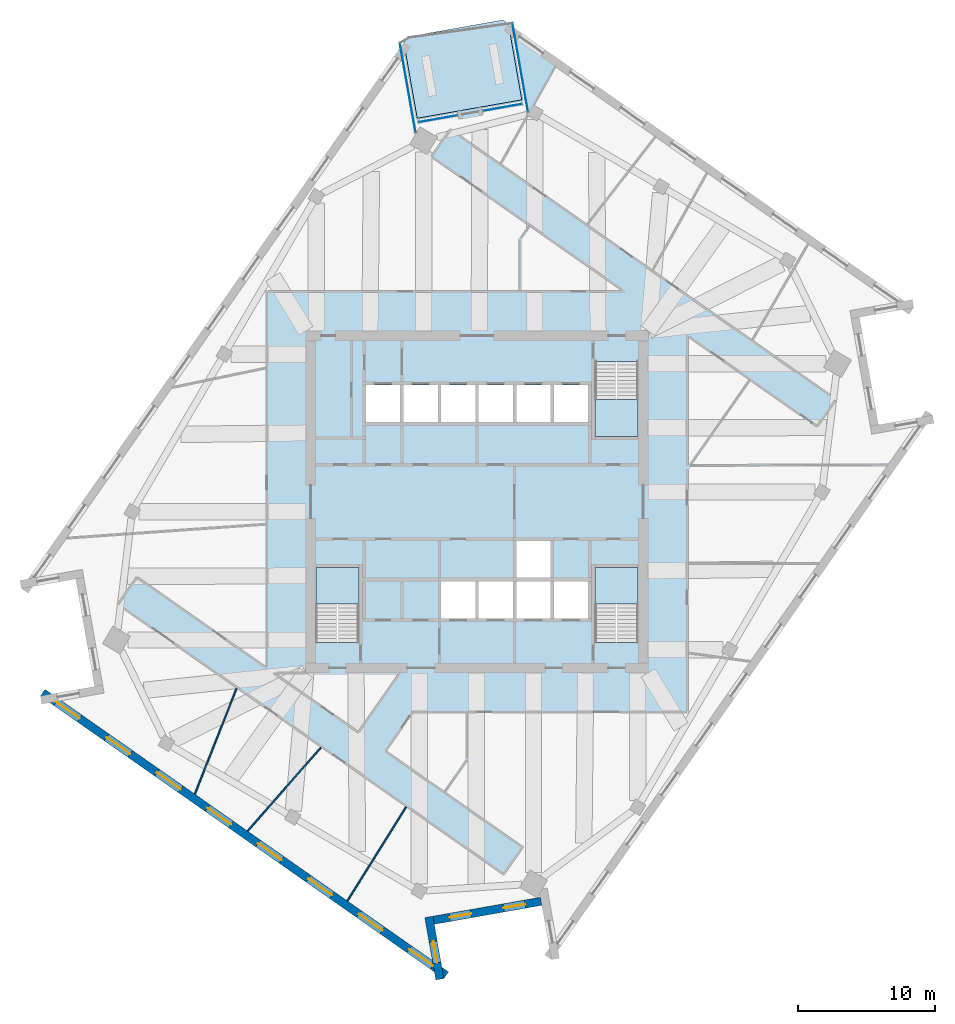
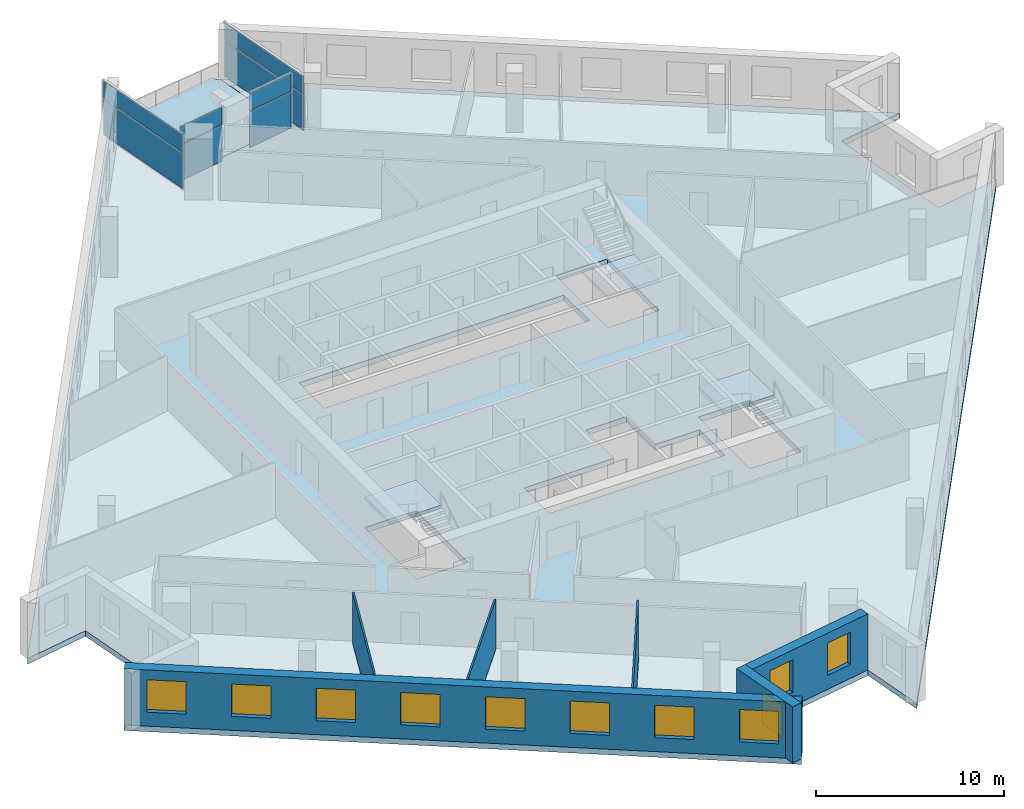
# One storey, part 5 of 13: 11 windows, 8 plates, 6 walls, 5 slabs, 11 openings, 7 elements without a shape of their own.
"""IFC4 building model written with IfcOpenShell, lengths in metres."""

from ifc_helpers import new_model, si_unit, direction, frame, frame_2d, origin, origin_2d, place, context, subcontext, project, spatial, polyline, rectangle, outline, extrude, material, layer, layer_set, type_object, element, fill, aggregate, save


model = new_model("IFC4")

# Units and contexts
model_context = context("Model", 3, precision=1e-05, world=origin(), true_north=direction((0.0, 1.0)))
body_context = subcontext(model_context, "Body", "Model", "MODEL_VIEW")
ifc_project = project(units=[si_unit("LENGTHUNIT", "METRE"), si_unit("AREAUNIT", "SQUARE_METRE"), si_unit("VOLUMEUNIT", "CUBIC_METRE"), si_unit("PLANEANGLEUNIT", "RADIAN"), si_unit("MASSUNIT", "GRAM", prefix="KILO")], contexts=[model_context])

# Site, building, storey
site_placement = place(None, origin())
site = spatial("IfcSite", under=ifc_project, at=site_placement, CompositionType="ELEMENT")
building_placement = place(site_placement, origin())
building = spatial("IfcBuilding", under=site, at=building_placement, Name="Dilmun Exchange Tower", CompositionType="ELEMENT")
storey_placement = place(building_placement, frame((0.0, 0.0, 250.89990234375)))
storey = spatial("IfcBuildingStorey", under=building, at=storey_placement, Name="L59", CompositionType="ELEMENT", Elevation=250.89990234375)

# Stair, slab
ifc_material_1 = material(Name="Concrete C40/50", Category="concrete")
stair_type = type_object("IfcStairType", Name="Exit stair 1500 half-turn", PredefinedType="HALF_TURN_STAIR", material=ifc_material_1)
stair_1_placement = place(storey_placement, origin())
stair_1 = element("IfcStair", 1, at=stair_1_placement, inside=storey, type_object=stair_type, Name="L59 Protected exit stair ST1", PredefinedType="HALF_TURN_STAIR")
ifc_layer_1 = layer(ifc_material_1, 0.199951171875)
ifc_layer_set_1 = layer_set([ifc_layer_1], Name="Concrete C40/50")
slab_type_1 = type_object("IfcSlabType", Name="Exit stair landing 200", PredefinedType="LANDING", material=ifc_layer_set_1)
slab_1_placement = place(storey_placement, frame((0.0, 0.0, 1.800048828125)))
slab_1 = element("IfcSlab", 2, at=slab_1_placement, type_object=slab_type_1, Name="ST1 landing 1", PredefinedType="LANDING", context=body_context, shape_type="SweptSolid", body=[
    extrude(outline(polyline([(8.64990234375, 7.5), (8.64990234375, 4.800048828125), (11.800048828125, 4.800048828125), (11.800048828125, 7.5), (8.64990234375, 7.5)])), origin(), (0.0, 0.0, 1.0), 0.199951171875),
])
aggregate(stair_1, [slab_1])

stair_2_placement = place(storey_placement, origin())
stair_2 = element("IfcStair", 3, at=stair_2_placement, inside=storey, type_object=stair_type, Name="L59 Protected exit stair ST2", PredefinedType="HALF_TURN_STAIR")
slab_2_placement = place(storey_placement, frame((0.0, 0.0, 1.800048828125)))
slab_2 = element("IfcSlab", 4, at=slab_2_placement, type_object=slab_type_1, Name="ST2 landing 1", PredefinedType="LANDING", context=body_context, shape_type="SweptSolid", body=[
    extrude(outline(polyline([(-8.64990234375, -7.5), (-8.64990234375, -4.800048828125), (-11.800048828125, -4.800048828125), (-11.800048828125, -7.5), (-8.64990234375, -7.5)])), origin(), (0.0, 0.0, 1.0), 0.199951171875),
])
aggregate(stair_2, [slab_2])

stair_3_placement = place(storey_placement, origin())
stair_3 = element("IfcStair", 5, at=stair_3_placement, inside=storey, type_object=stair_type, Name="L59 Protected exit stair ST3", PredefinedType="HALF_TURN_STAIR")
slab_3_placement = place(storey_placement, frame((0.0, 0.0, 1.800048828125)))
slab_3 = element("IfcSlab", 6, at=slab_3_placement, type_object=slab_type_1, Name="ST3 landing 1", PredefinedType="LANDING", context=body_context, shape_type="SweptSolid", body=[
    extrude(outline(polyline([(11.800048828125, -7.5), (11.800048828125, -4.800048828125), (8.64990234375, -4.800048828125), (8.64990234375, -7.5), (11.800048828125, -7.5)])), origin(), (0.0, 0.0, 1.0), 0.199951171875),
])
aggregate(stair_3, [slab_3])

# Curtain wall, plates
ifc_material_2 = material(Name="Anodised aluminium and clear glass", Category="aluminium")
curtain_wall_type = type_object("IfcCurtainWallType", Name="Garden corner glazing", PredefinedType="NOTDEFINED", material=ifc_material_2)
curtain_wall_1_placement = place(storey_placement, origin())
curtain_wall_1 = element("IfcCurtainWall", 7, at=curtain_wall_1_placement, inside=storey, type_object=curtain_wall_type, Name="Garden corner glazing run GC1.1", PredefinedType="NOTDEFINED")
ifc_material_3 = material(Name="Clear glass", Category="glass")
ifc_layer_2 = layer(ifc_material_3, 0.028076171875)
ifc_layer_set_2 = layer_set([ifc_layer_2], Name="Clear glass")
plate_type = type_object("IfcPlateType", Name="Garden corner glazing glass panel 28", PredefinedType="CURTAIN_PANEL", material=ifc_layer_set_2)
plate_1_placement = place(storey_placement, frame((3.170654296875, 31.797119140625, 0.06005859375), z_axis=(0.0, 0.0, 1.0), x_axis=(0.173650407466, -0.984807359836, 0.0)))
plate_1 = element("IfcPlate", 8, at=plate_1_placement, type_object=plate_type, Name="GC1.1 panel 1.1", PredefinedType="CURTAIN_PANEL", context=body_context, shape_type="SweptSolid", body=[
    extrude(rectangle(XDim=6.51806640625, YDim=0.028076171875, at=origin_2d()), origin(), (0.0, 0.0, 1.0), 2.31005859375),
])
plate_2_placement = place(storey_placement, frame((3.170654296875, 31.797119140625, 2.43017578125), z_axis=(0.0, 0.0, 1.0), x_axis=(0.173650407466, -0.984807359836, 0.0)))
plate_2 = element("IfcPlate", 9, at=plate_2_placement, type_object=plate_type, Name="GC1.1 panel 1.2", PredefinedType="CURTAIN_PANEL", context=body_context, shape_type="SweptSolid", body=[
    extrude(rectangle(XDim=6.51806640625, YDim=0.028076171875, at=origin_2d()), origin(), (0.0, 0.0, 1.0), 1.14990234375),
])
aggregate(curtain_wall_1, [plate_1, plate_2])

curtain_wall_2_placement = place(storey_placement, origin())
curtain_wall_2 = element("IfcCurtainWall", 10, at=curtain_wall_2_placement, inside=storey, type_object=curtain_wall_type, Name="Garden corner glazing run GC2.1", PredefinedType="NOTDEFINED")
plate_3_placement = place(storey_placement, frame((1.859375, 28.89794921875, 0.06005859375), z_axis=(0.0, 0.0, 1.0), x_axis=(-0.984810826993, -0.173630743351, 0.0)))
plate_3 = element("IfcPlate", 11, at=plate_3_placement, type_object=plate_type, Name="GC2.1 panel 1.1", PredefinedType="CURTAIN_PANEL", context=body_context, shape_type="SweptSolid", body=[
    extrude(rectangle(XDim=2.869140625, YDim=0.028076171875, at=origin_2d()), origin(), (0.0, 0.0, 1.0), 2.31005859375),
])
plate_4_placement = place(storey_placement, frame((1.859375, 28.89794921875, 2.43017578125), z_axis=(0.0, 0.0, 1.0), x_axis=(-0.984810826993, -0.173630743351, 0.0)))
plate_4 = element("IfcPlate", 12, at=plate_4_placement, type_object=plate_type, Name="GC2.1 panel 1.2", PredefinedType="CURTAIN_PANEL", context=body_context, shape_type="SweptSolid", body=[
    extrude(rectangle(XDim=2.869140625, YDim=0.028076171875, at=origin_2d()), origin(), (0.0, 0.0, 1.0), 1.14990234375),
])
aggregate(curtain_wall_2, [plate_3, plate_4])

curtain_wall_3_placement = place(storey_placement, origin())
curtain_wall_3 = element("IfcCurtainWall", 13, at=curtain_wall_3_placement, inside=storey, type_object=curtain_wall_type, Name="Garden corner glazing run GC2.3", PredefinedType="NOTDEFINED")
plate_5_placement = place(storey_placement, frame((-2.85693359375, 28.06640625, 0.06005859375), z_axis=(0.0, 0.0, 1.0), x_axis=(-0.984810826993, -0.173630743351, 0.0)))
plate_5 = element("IfcPlate", 14, at=plate_5_placement, type_object=plate_type, Name="GC2.3 panel 1.1", PredefinedType="CURTAIN_PANEL", context=body_context, shape_type="SweptSolid", body=[
    extrude(rectangle(XDim=2.869140625, YDim=0.028076171875, at=origin_2d()), origin(), (0.0, 0.0, 1.0), 2.31005859375),
])
plate_6_placement = place(storey_placement, frame((-2.85693359375, 28.06640625, 2.43017578125), z_axis=(0.0, 0.0, 1.0), x_axis=(-0.984810826993, -0.173630743351, 0.0)))
plate_6 = element("IfcPlate", 15, at=plate_6_placement, type_object=plate_type, Name="GC2.3 panel 1.2", PredefinedType="CURTAIN_PANEL", context=body_context, shape_type="SweptSolid", body=[
    extrude(rectangle(XDim=2.869140625, YDim=0.028076171875, at=origin_2d()), origin(), (0.0, 0.0, 1.0), 1.14990234375),
])
aggregate(curtain_wall_3, [plate_5, plate_6])

curtain_wall_4_placement = place(storey_placement, origin())
curtain_wall_4 = element("IfcCurtainWall", 16, at=curtain_wall_4_placement, inside=storey, type_object=curtain_wall_type, Name="Garden corner glazing run GC3.1", PredefinedType="NOTDEFINED")
plate_7_placement = place(storey_placement, frame((-5.07568359375, 30.315673828125, 0.06005859375), z_axis=(0.0, 0.0, 1.0), x_axis=(-0.173650646227, 0.984807317735, 0.0)))
plate_7 = element("IfcPlate", 17, at=plate_7_placement, type_object=plate_type, Name="GC3.1 panel 1.1", PredefinedType="CURTAIN_PANEL", context=body_context, shape_type="SweptSolid", body=[
    extrude(rectangle(XDim=6.572265625, YDim=0.028076171875, at=origin_2d()), origin(), (0.0, 0.0, 1.0), 2.31005859375),
])
plate_8_placement = place(storey_placement, frame((-5.07568359375, 30.315673828125, 2.43017578125), z_axis=(0.0, 0.0, 1.0), x_axis=(-0.173650646227, 0.984807317735, 0.0)))
plate_8 = element("IfcPlate", 18, at=plate_8_placement, type_object=plate_type, Name="GC3.1 panel 1.2", PredefinedType="CURTAIN_PANEL", context=body_context, shape_type="SweptSolid", body=[
    extrude(rectangle(XDim=6.572265625, YDim=0.028076171875, at=origin_2d()), origin(), (0.0, 0.0, 1.0), 1.14990234375),
])
aggregate(curtain_wall_4, [plate_7, plate_8])

# Slabs
ifc_layer_3 = layer(ifc_material_1, 0.360107421875)
ifc_layer_set_3 = layer_set([ifc_layer_3], Name="Concrete C40/50")
slab_type_2 = type_object("IfcSlabType", Name="RC floor slab 360", PredefinedType="FLOOR", material=ifc_layer_set_3)
slab_4_placement = place(storey_placement, frame((0.0, 0.0, -0.35986328125)))
element("IfcSlab", 19, at=slab_4_placement, inside=storey, type_object=slab_type_2, Name="Floor slab", PredefinedType="FLOOR", context=body_context, shape_type="SweptSolid", body=[
    extrude(outline(polyline([(28.01318359375, 13.524658203125), (29.40234375, 5.646240234375), (33.376708984375, 6.346923828125), (5.451171875, -33.534423828125), (4.75048828125, -29.560302734375), (-3.1279296875, -30.949462890625), (-2.42724609375, -34.923583984375), (-31.9873046875, -14.225341796875), (-28.01318359375, -13.524658203125), (-29.40234375, -5.646240234375), (-33.376708984375, -6.346923828125), (-5.361328125, 33.6630859375), (-4.380859375, 28.102294921875), (3.279296875, 29.452880859375), (2.298583984375, 35.013671875), (31.9873046875, 14.225341796875), (28.01318359375, 13.524658203125)]), holes=[polyline([(-8.64990234375, -4.800048828125), (-11.800048828125, -4.800048828125), (-11.800048828125, -10.294921875), (-8.64990234375, -10.294921875), (-8.64990234375, -4.800048828125)]), polyline([(11.800048828125, -4.800048828125), (8.64990234375, -4.800048828125), (8.64990234375, -10.294921875), (11.800048828125, -10.294921875), (11.800048828125, -4.800048828125)]), polyline([(2.875, -5.85009765625), (-2.625, -5.85009765625), (-2.625, -8.550048828125), (8.125, -8.550048828125), (8.125, -5.85009765625), (5.375, -5.85009765625), (5.375, -2.85009765625), (2.875, -2.85009765625), (2.875, -5.85009765625)]), polyline([(8.125, 5.85009765625), (8.125, 8.550048828125), (-8.125, 8.550048828125), (-8.125, 5.85009765625), (8.125, 5.85009765625)]), polyline([(8.64990234375, 10.294921875), (8.64990234375, 4.800048828125), (11.800048828125, 4.800048828125), (11.800048828125, 10.294921875), (8.64990234375, 10.294921875)])]), origin(), (0.0, 0.0, 1.0), 0.35986328125),
])
ifc_layer_4 = layer(ifc_material_1, 0.300048828125)
ifc_layer_set_4 = layer_set([ifc_layer_4], Name="Concrete C40/50")
slab_type_3 = type_object("IfcSlabType", Name="RC garden terrace slab 300", PredefinedType="FLOOR", material=ifc_layer_set_4)
slab_5_placement = place(storey_placement, frame((0.0, 0.0, -0.2998046875)))
element("IfcSlab", 20, at=slab_5_placement, inside=storey, type_object=slab_type_3, Name="Garden terrace slab", PredefinedType="FLOOR", context=body_context, shape_type="SweptSolid", body=[
    extrude(outline(polyline([(-4.380859375, 28.102294921875), (-5.361328125, 33.6630859375), (-5.074462890625, 34.072509765625), (1.88916015625, 35.30029296875), (2.298583984375, 35.013671875), (3.279296875, 29.452880859375), (-4.380859375, 28.102294921875)])), origin(), (0.0, 0.0, 1.0), 0.2998046875),
])

# Walls
ifc_material_4 = material(Name="Partition 100")
ifc_layer_5 = layer(ifc_material_4, 0.10009765625)
ifc_layer_set_5 = layer_set([ifc_layer_5], Name="Partition 100")
wall_type_1 = type_object("IfcWallType", Name="Partition 100", PredefinedType="PARTITIONING", material=ifc_layer_set_5)
wall_1_placement = place(storey_placement, frame((-20.6728515625, -21.4130859375, 0.0), z_axis=(0.0, 0.0, 1.0), x_axis=(0.367046287702, 0.930202678283, 0.0)))
element("IfcWall", 21, at=wall_1_placement, inside=storey, type_object=wall_type_1, Name="Partition", PredefinedType="PARTITIONING", context=body_context, shape_type="SweptSolid", body=[
    extrude(rectangle(XDim=8.321044921875, YDim=0.10009765625, at=frame_2d((4.16064453125, 0.0))), origin(), (0.0, 0.0, 1.0), 3.239990234375),
])
wall_2_placement = place(storey_placement, frame((-16.80859375, -24.118896484375, 0.0), z_axis=(0.0, 0.0, 1.0), x_axis=(0.659598527061, 0.75161810988, 0.0)))
element("IfcWall", 22, at=wall_2_placement, inside=storey, type_object=wall_type_1, Name="Partition", PredefinedType="PARTITIONING", context=body_context, shape_type="SweptSolid", body=[
    extrude(rectangle(XDim=8.147705078125, YDim=0.10009765625, at=frame_2d((4.07373046875, 0.0))), origin(), (0.0, 0.0, 1.0), 3.239990234375),
])
wall_3_placement = place(storey_placement, frame((-9.497802734375, -29.23779296875, 0.0), z_axis=(0.0, 0.0, 1.0), x_axis=(0.529739230274, 0.848160567292, 0.0)))
element("IfcWall", 23, at=wall_3_placement, inside=storey, type_object=wall_type_1, Name="Partition", PredefinedType="PARTITIONING", context=body_context, shape_type="SweptSolid", body=[
    extrude(rectangle(XDim=8.11279296875, YDim=0.10009765625, at=frame_2d((4.056396484375, 0.0))), origin(), (0.0, 0.0, 1.0), 3.64013671875),
])

# Wall, openings, windows
ifc_material_5 = material(Name="Precast concrete C50/60", Category="concrete")
ifc_layer_6 = layer(ifc_material_5, 0.60009765625)
ifc_layer_set_6 = layer_set([ifc_layer_6], Name="Precast concrete C50/60")
wall_type_2 = type_object("IfcWallType", Name="Precast stone-clad wall 600", PredefinedType="STANDARD", material=ifc_layer_set_6)
wall_4_placement = place(storey_placement, frame((-31.815185546875, -13.979736328125, 0.0), z_axis=(0.0, 0.0, 1.0), x_axis=(0.819151180661, -0.573577669737, 0.0)))
wall_4 = element("IfcWall", 24, at=wall_4_placement, inside=storey, type_object=wall_type_2, Name="Facade wall L59-07", PredefinedType="STANDARD", context=body_context, shape_type="SweptSolid", body=[
    extrude(rectangle(XDim=36.086181640625, YDim=0.60009765625, at=frame_2d((18.04296875, 0.0))), origin(), (0.0, 0.0, 1.0), 3.64013671875),
])
opening_1_placement = place(wall_4_placement, frame((1.205322265625, 0.0, 0.89990234375)))
opening_1 = element("IfcOpeningElement", 25, at=opening_1_placement, cuts=wall_4, Name="Opening W210-210", PredefinedType="OPENING", context=body_context, shape_type="SweptSolid", body=[
    extrude(rectangle(XDim=2.10009765625, YDim=2.10009765625, at=frame_2d((1.050048828125, 1.050048828125))), frame((0.0, 0.31005859375, 0.0), z_axis=(0.0, -1.0, 0.0), x_axis=(1.0, 0.0, 0.0)), (0.0, 0.0, 1.0), 0.6201171875),
])
opening_2_placement = place(wall_4_placement, frame((5.71630859375, 0.0, 0.89990234375)))
opening_2 = element("IfcOpeningElement", 26, at=opening_2_placement, cuts=wall_4, Name="Opening W210-210", PredefinedType="OPENING", context=body_context, shape_type="SweptSolid", body=[
    extrude(rectangle(XDim=2.10009765625, YDim=2.10009765625, at=frame_2d((1.050048828125, 1.050048828125))), frame((0.0, 0.31005859375, 0.0), z_axis=(0.0, -1.0, 0.0), x_axis=(1.0, 0.0, 0.0)), (0.0, 0.0, 1.0), 0.6201171875),
])
opening_3_placement = place(wall_4_placement, frame((10.22705078125, 0.0, 0.89990234375)))
opening_3 = element("IfcOpeningElement", 27, at=opening_3_placement, cuts=wall_4, Name="Opening W210-210", PredefinedType="OPENING", context=body_context, shape_type="SweptSolid", body=[
    extrude(rectangle(XDim=2.10009765625, YDim=2.10009765625, at=frame_2d((1.050048828125, 1.050048828125))), frame((0.0, 0.31005859375, 0.0), z_axis=(0.0, -1.0, 0.0), x_axis=(1.0, 0.0, 0.0)), (0.0, 0.0, 1.0), 0.6201171875),
])
opening_4_placement = place(wall_4_placement, frame((14.73779296875, 0.0, 0.89990234375)))
opening_4 = element("IfcOpeningElement", 28, at=opening_4_placement, cuts=wall_4, Name="Opening W210-210", PredefinedType="OPENING", context=body_context, shape_type="SweptSolid", body=[
    extrude(rectangle(XDim=2.10009765625, YDim=2.10009765625, at=frame_2d((1.050048828125, 1.050048828125))), frame((0.0, 0.31005859375, 0.0), z_axis=(0.0, -1.0, 0.0), x_axis=(1.0, 0.0, 0.0)), (0.0, 0.0, 1.0), 0.6201171875),
])
opening_5_placement = place(wall_4_placement, frame((19.24853515625, 0.0, 0.89990234375)))
opening_5 = element("IfcOpeningElement", 29, at=opening_5_placement, cuts=wall_4, Name="Opening W210-210", PredefinedType="OPENING", context=body_context, shape_type="SweptSolid", body=[
    extrude(rectangle(XDim=2.10009765625, YDim=2.10009765625, at=frame_2d((1.050048828125, 1.050048828125))), frame((0.0, 0.31005859375, 0.0), z_axis=(0.0, -1.0, 0.0), x_axis=(1.0, 0.0, 0.0)), (0.0, 0.0, 1.0), 0.6201171875),
])
opening_6_placement = place(wall_4_placement, frame((23.75927734375, 0.0, 0.89990234375)))
opening_6 = element("IfcOpeningElement", 30, at=opening_6_placement, cuts=wall_4, Name="Opening W210-210", PredefinedType="OPENING", context=body_context, shape_type="SweptSolid", body=[
    extrude(rectangle(XDim=2.10009765625, YDim=2.10009765625, at=frame_2d((1.050048828125, 1.050048828125))), frame((0.0, 0.31005859375, 0.0), z_axis=(0.0, -1.0, 0.0), x_axis=(1.0, 0.0, 0.0)), (0.0, 0.0, 1.0), 0.6201171875),
])
opening_7_placement = place(wall_4_placement, frame((28.27001953125, 0.0, 0.89990234375)))
opening_7 = element("IfcOpeningElement", 31, at=opening_7_placement, cuts=wall_4, Name="Opening W210-210", PredefinedType="OPENING", context=body_context, shape_type="SweptSolid", body=[
    extrude(rectangle(XDim=2.10009765625, YDim=2.10009765625, at=frame_2d((1.050048828125, 1.050048828125))), frame((0.0, 0.31005859375, 0.0), z_axis=(0.0, -1.0, 0.0), x_axis=(1.0, 0.0, 0.0)), (0.0, 0.0, 1.0), 0.6201171875),
])
opening_8_placement = place(wall_4_placement, frame((32.781005859375, 0.0, 0.89990234375)))
opening_8 = element("IfcOpeningElement", 32, at=opening_8_placement, cuts=wall_4, Name="Opening W210-210", PredefinedType="OPENING", context=body_context, shape_type="SweptSolid", body=[
    extrude(rectangle(XDim=2.10009765625, YDim=2.10009765625, at=frame_2d((1.050048828125, 1.050048828125))), frame((0.0, 0.31005859375, 0.0), z_axis=(0.0, -1.0, 0.0), x_axis=(1.0, 0.0, 0.0)), (0.0, 0.0, 1.0), 0.6201171875),
])
ifc_material_6 = material(Name="Clear low-emissivity glass in aluminium frame", Category="aluminium")
window_type_1 = type_object("IfcWindowType", Name="Punched window 2100 x 2100", PartitioningType="DOUBLE_PANEL_VERTICAL", PredefinedType="WINDOW", material=ifc_material_6)
window_1_placement = place(opening_1_placement, origin())
window_1 = element("IfcWindow", 33, at=window_1_placement, inside=storey, type_object=window_type_1, Name="Window 8.1", OverallHeight=2.10009765625, OverallWidth=2.10009765625, PartitioningType="SINGLE_PANEL", PredefinedType="WINDOW", context=body_context, shape_type="SweptSolid", body=[
    extrude(rectangle(XDim=2.10009765625, YDim=2.10009765625, at=frame_2d((1.050048828125, 1.050048828125))), frame((0.0, 0.030029296875, 0.0), z_axis=(0.0, -1.0, 0.0), x_axis=(1.0, 0.0, 0.0)), (0.0, 0.0, 1.0), 0.06005859375),
])
fill(opening_1, window_1)
window_2_placement = place(opening_2_placement, origin())
window_2 = element("IfcWindow", 34, at=window_2_placement, inside=storey, type_object=window_type_1, Name="Window 8.2", OverallHeight=2.10009765625, OverallWidth=2.10009765625, PartitioningType="SINGLE_PANEL", PredefinedType="WINDOW", context=body_context, shape_type="SweptSolid", body=[
    extrude(rectangle(XDim=2.10009765625, YDim=2.10009765625, at=frame_2d((1.050048828125, 1.050048828125))), frame((0.0, 0.030029296875, 0.0), z_axis=(0.0, -1.0, 0.0), x_axis=(1.0, 0.0, 0.0)), (0.0, 0.0, 1.0), 0.06005859375),
])
fill(opening_2, window_2)
window_3_placement = place(opening_3_placement, origin())
window_3 = element("IfcWindow", 35, at=window_3_placement, inside=storey, type_object=window_type_1, Name="Window 8.3", OverallHeight=2.10009765625, OverallWidth=2.10009765625, PartitioningType="SINGLE_PANEL", PredefinedType="WINDOW", context=body_context, shape_type="SweptSolid", body=[
    extrude(rectangle(XDim=2.10009765625, YDim=2.10009765625, at=frame_2d((1.050048828125, 1.050048828125))), frame((0.0, 0.030029296875, 0.0), z_axis=(0.0, -1.0, 0.0), x_axis=(1.0, 0.0, 0.0)), (0.0, 0.0, 1.0), 0.06005859375),
])
fill(opening_3, window_3)
window_4_placement = place(opening_4_placement, origin())
window_4 = element("IfcWindow", 36, at=window_4_placement, inside=storey, type_object=window_type_1, Name="Window 8.4", OverallHeight=2.10009765625, OverallWidth=2.10009765625, PartitioningType="SINGLE_PANEL", PredefinedType="WINDOW", context=body_context, shape_type="SweptSolid", body=[
    extrude(rectangle(XDim=2.10009765625, YDim=2.10009765625, at=frame_2d((1.050048828125, 1.050048828125))), frame((0.0, 0.030029296875, 0.0), z_axis=(0.0, -1.0, 0.0), x_axis=(1.0, 0.0, 0.0)), (0.0, 0.0, 1.0), 0.06005859375),
])
fill(opening_4, window_4)
window_5_placement = place(opening_5_placement, origin())
window_5 = element("IfcWindow", 37, at=window_5_placement, inside=storey, type_object=window_type_1, Name="Window 8.5", OverallHeight=2.10009765625, OverallWidth=2.10009765625, PartitioningType="SINGLE_PANEL", PredefinedType="WINDOW", context=body_context, shape_type="SweptSolid", body=[
    extrude(rectangle(XDim=2.10009765625, YDim=2.10009765625, at=frame_2d((1.050048828125, 1.050048828125))), frame((0.0, 0.030029296875, 0.0), z_axis=(0.0, -1.0, 0.0), x_axis=(1.0, 0.0, 0.0)), (0.0, 0.0, 1.0), 0.06005859375),
])
fill(opening_5, window_5)
window_6_placement = place(opening_6_placement, origin())
window_6 = element("IfcWindow", 38, at=window_6_placement, inside=storey, type_object=window_type_1, Name="Window 8.6", OverallHeight=2.10009765625, OverallWidth=2.10009765625, PartitioningType="SINGLE_PANEL", PredefinedType="WINDOW", context=body_context, shape_type="SweptSolid", body=[
    extrude(rectangle(XDim=2.10009765625, YDim=2.10009765625, at=frame_2d((1.050048828125, 1.050048828125))), frame((0.0, 0.030029296875, 0.0), z_axis=(0.0, -1.0, 0.0), x_axis=(1.0, 0.0, 0.0)), (0.0, 0.0, 1.0), 0.06005859375),
])
fill(opening_6, window_6)
window_7_placement = place(opening_7_placement, origin())
window_7 = element("IfcWindow", 39, at=window_7_placement, inside=storey, type_object=window_type_1, Name="Window 8.7", OverallHeight=2.10009765625, OverallWidth=2.10009765625, PartitioningType="SINGLE_PANEL", PredefinedType="WINDOW", context=body_context, shape_type="SweptSolid", body=[
    extrude(rectangle(XDim=2.10009765625, YDim=2.10009765625, at=frame_2d((1.050048828125, 1.050048828125))), frame((0.0, 0.030029296875, 0.0), z_axis=(0.0, -1.0, 0.0), x_axis=(1.0, 0.0, 0.0)), (0.0, 0.0, 1.0), 0.06005859375),
])
fill(opening_7, window_7)
window_8_placement = place(opening_8_placement, origin())
window_8 = element("IfcWindow", 40, at=window_8_placement, inside=storey, type_object=window_type_1, Name="Window 8.8", OverallHeight=2.10009765625, OverallWidth=2.10009765625, PartitioningType="SINGLE_PANEL", PredefinedType="WINDOW", context=body_context, shape_type="SweptSolid", body=[
    extrude(rectangle(XDim=2.10009765625, YDim=2.10009765625, at=frame_2d((1.050048828125, 1.050048828125))), frame((0.0, 0.030029296875, 0.0), z_axis=(0.0, -1.0, 0.0), x_axis=(1.0, 0.0, 0.0)), (0.0, 0.0, 1.0), 0.06005859375),
])
fill(opening_8, window_8)

# Wall, opening, window
wall_5_placement = place(storey_placement, frame((-2.72265625, -34.975830078125, 0.0), z_axis=(0.0, 0.0, 1.0), x_axis=(-0.173641118013, 0.984808997794, 0.0)))
wall_5 = element("IfcWall", 41, at=wall_5_placement, inside=storey, type_object=wall_type_2, Name="Facade wall L59-08", PredefinedType="STANDARD", context=body_context, shape_type="SweptSolid", body=[
    extrude(rectangle(XDim=4.635498046875, YDim=0.60009765625, at=frame_2d((2.31787109375, 0.0))), origin(), (0.0, 0.0, 1.0), 3.64013671875),
])
opening_9_placement = place(wall_5_placement, frame((1.2177734375, 0.0, 0.89990234375)))
opening_9 = element("IfcOpeningElement", 42, at=opening_9_placement, cuts=wall_5, Name="Opening W160-210", PredefinedType="OPENING", context=body_context, shape_type="SweptSolid", body=[
    extrude(rectangle(XDim=1.60009765625, YDim=2.10009765625, at=frame_2d((0.800048828125, 1.050048828125))), frame((0.0, 0.31005859375, 0.0), z_axis=(0.0, -1.0, 0.0), x_axis=(1.0, 0.0, 0.0)), (0.0, 0.0, 1.0), 0.6201171875),
])
window_type_2 = type_object("IfcWindowType", Name="Punched window 1600 x 2100", PartitioningType="DOUBLE_PANEL_VERTICAL", PredefinedType="WINDOW", material=ifc_material_6)
window_9_placement = place(opening_9_placement, origin())
window_9 = element("IfcWindow", 43, at=window_9_placement, inside=storey, type_object=window_type_2, Name="Window 9.1", OverallHeight=2.10009765625, OverallWidth=1.60009765625, PartitioningType="SINGLE_PANEL", PredefinedType="WINDOW", context=body_context, shape_type="SweptSolid", body=[
    extrude(rectangle(XDim=1.60009765625, YDim=2.10009765625, at=frame_2d((0.800048828125, 1.050048828125))), frame((0.0, 0.030029296875, 0.0), z_axis=(0.0, -1.0, 0.0), x_axis=(1.0, 0.0, 0.0)), (0.0, 0.0, 1.0), 0.06005859375),
])
fill(opening_9, window_9)

# Wall, openings, windows
wall_6_placement = place(storey_placement, frame((-3.18017578125, -30.654052734375, 0.0), z_axis=(0.0, 0.0, 1.0), x_axis=(0.98480904719, 0.173640837858, 0.0)))
wall_6 = element("IfcWall", 44, at=wall_6_placement, inside=storey, type_object=wall_type_2, Name="Facade wall L59-09", PredefinedType="STANDARD", context=body_context, shape_type="SweptSolid", body=[
    extrude(rectangle(XDim=8.000244140625, YDim=0.60009765625, at=frame_2d((4.0, 0.0))), origin(), (0.0, 0.0, 1.0), 3.64013671875),
])
opening_10_placement = place(wall_6_placement, frame((1.199951171875, 0.0, 0.89990234375)))
opening_10 = element("IfcOpeningElement", 45, at=opening_10_placement, cuts=wall_6, Name="Opening W160-210", PredefinedType="OPENING", context=body_context, shape_type="SweptSolid", body=[
    extrude(rectangle(XDim=1.60009765625, YDim=2.10009765625, at=frame_2d((0.800048828125, 1.050048828125))), frame((0.0, 0.31005859375, 0.0), z_axis=(0.0, -1.0, 0.0), x_axis=(1.0, 0.0, 0.0)), (0.0, 0.0, 1.0), 0.6201171875),
])
opening_11_placement = place(wall_6_placement, frame((5.199951171875, 0.0, 0.89990234375)))
opening_11 = element("IfcOpeningElement", 46, at=opening_11_placement, cuts=wall_6, Name="Opening W160-210", PredefinedType="OPENING", context=body_context, shape_type="SweptSolid", body=[
    extrude(rectangle(XDim=1.60009765625, YDim=2.10009765625, at=frame_2d((0.800048828125, 1.050048828125))), frame((0.0, 0.31005859375, 0.0), z_axis=(0.0, -1.0, 0.0), x_axis=(1.0, 0.0, 0.0)), (0.0, 0.0, 1.0), 0.6201171875),
])
window_10_placement = place(opening_10_placement, origin())
window_10 = element("IfcWindow", 47, at=window_10_placement, inside=storey, type_object=window_type_2, Name="Window 10.1", OverallHeight=2.10009765625, OverallWidth=1.60009765625, PartitioningType="SINGLE_PANEL", PredefinedType="WINDOW", context=body_context, shape_type="SweptSolid", body=[
    extrude(rectangle(XDim=1.60009765625, YDim=2.10009765625, at=frame_2d((0.800048828125, 1.050048828125))), frame((0.0, 0.030029296875, 0.0), z_axis=(0.0, -1.0, 0.0), x_axis=(1.0, 0.0, 0.0)), (0.0, 0.0, 1.0), 0.06005859375),
])
fill(opening_10, window_10)
window_11_placement = place(opening_11_placement, origin())
window_11 = element("IfcWindow", 48, at=window_11_placement, inside=storey, type_object=window_type_2, Name="Window 10.2", OverallHeight=2.10009765625, OverallWidth=1.60009765625, PartitioningType="SINGLE_PANEL", PredefinedType="WINDOW", context=body_context, shape_type="SweptSolid", body=[
    extrude(rectangle(XDim=1.60009765625, YDim=2.10009765625, at=frame_2d((0.800048828125, 1.050048828125))), frame((0.0, 0.030029296875, 0.0), z_axis=(0.0, -1.0, 0.0), x_axis=(1.0, 0.0, 0.0)), (0.0, 0.0, 1.0), 0.06005859375),
])
fill(opening_11, window_11)

save(model, "model.ifc")
